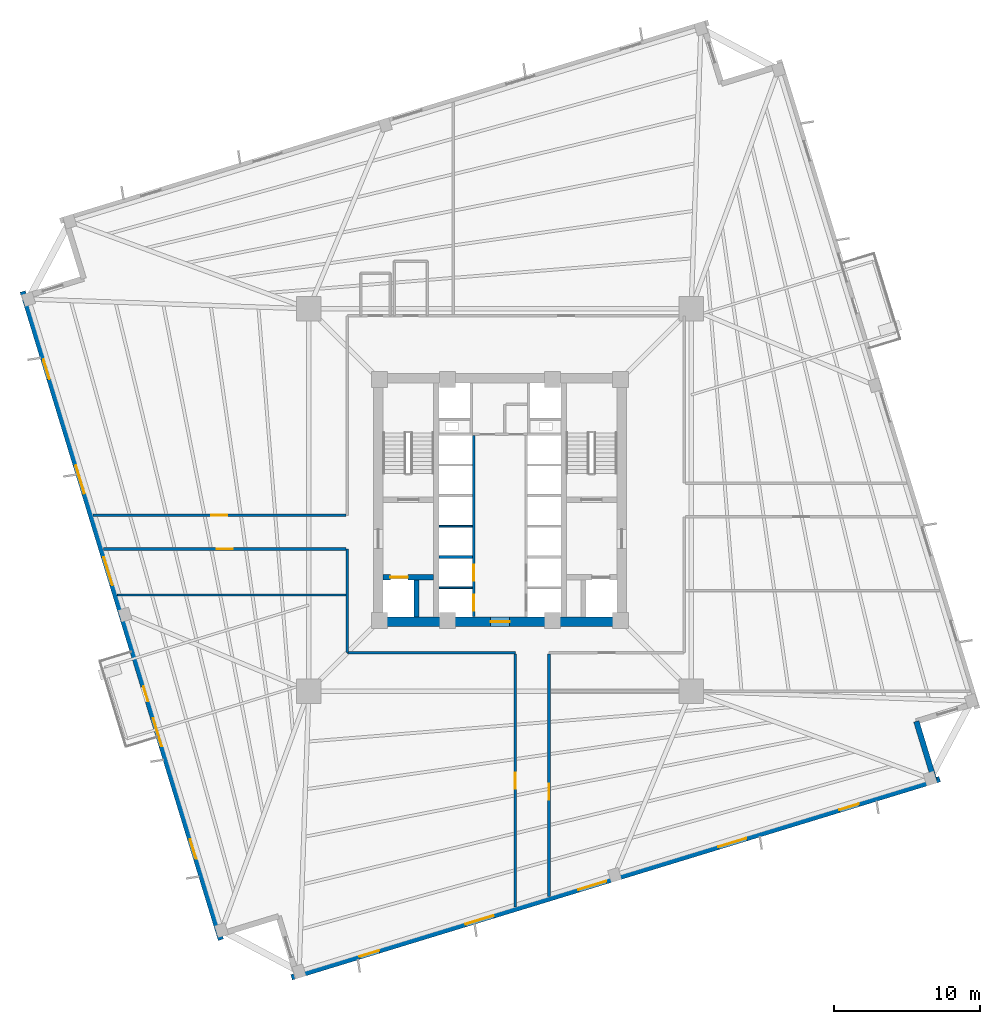
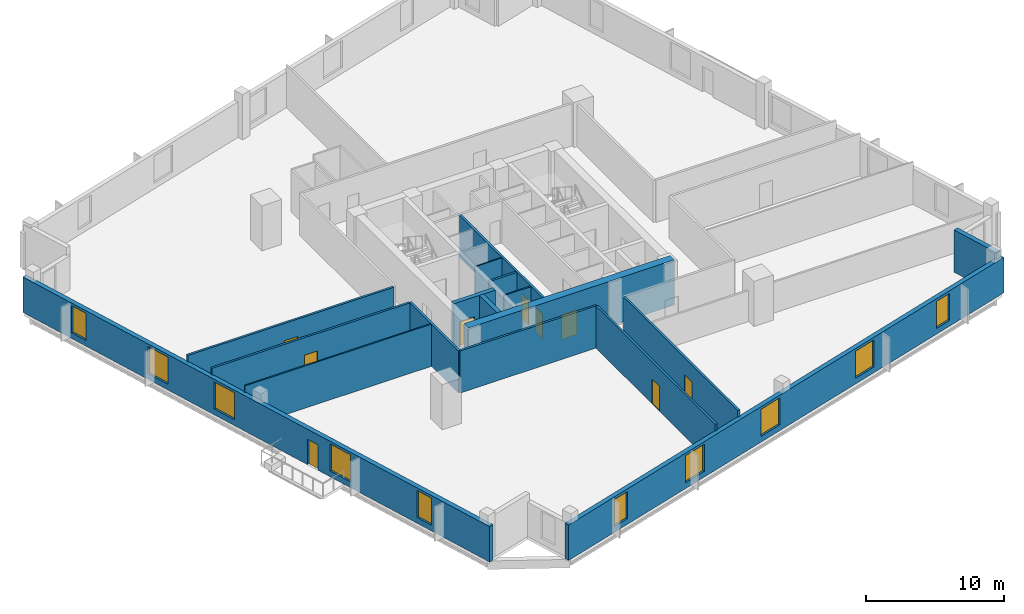
# One storey, part 3 of 9: 17 walls, 10 windows, 9 doors, 19 openings.
"""IFC4 building model written with IfcOpenShell, lengths in metres."""

from ifc_helpers import new_model, si_unit, direction, frame, frame_2d, origin, place, context, subcontext, project, spatial, rectangle, extrude, source, transform, mapped, material, layer, layer_set, type_object, element, fill, save


model = new_model("IFC4")

# Units and contexts
model_context = context("Model", 3, precision=1e-05, world=origin(), true_north=direction((0.0, 1.0)))
body_context = subcontext(model_context, "Body", "Model", "MODEL_VIEW")
ifc_project = project(units=[si_unit("LENGTHUNIT", "METRE"), si_unit("AREAUNIT", "SQUARE_METRE"), si_unit("VOLUMEUNIT", "CUBIC_METRE"), si_unit("PLANEANGLEUNIT", "RADIAN"), si_unit("MASSUNIT", "GRAM", prefix="KILO"), si_unit("THERMODYNAMICTEMPERATUREUNIT", "KELVIN")], contexts=[model_context])

# Site, building, storey
site_placement = place(None, origin())
site = spatial("IfcSite", under=ifc_project, at=site_placement, CompositionType="ELEMENT")
building_placement = place(site_placement, origin())
building = spatial("IfcBuilding", under=site, at=building_placement, Name="Kosmvard Interchange Tower", CompositionType="ELEMENT")
storey_placement = place(building_placement, frame((0.0, 0.0, 95.199951171875)))
storey = spatial("IfcBuildingStorey", under=building, at=storey_placement, Name="L22", CompositionType="ELEMENT", Elevation=95.199951171875)

# Wall, openings, doors
ifc_material_1 = material(Name="Fire-rated gypsum partition system")
ifc_layer_1 = layer(ifc_material_1, 0.179931640625, Name="Fire-rated gypsum partition system")
ifc_layer_set_1 = layer_set([ifc_layer_1], Name="Fire-rated gypsum partition system")
wall_type_1 = type_object("IfcWallType", Name="Corridor & Hotel Compartment Partition 180", PredefinedType="PARTITIONING", material=ifc_layer_set_1)
wall_1_placement = place(storey_placement, frame((-1.7900390625, -7.97998046875, 0.0), z_axis=(0.0, 0.0, 1.0), x_axis=(0.0, 1.0, 0.0)))
wall_1 = element("IfcWall", 1, at=wall_1_placement, inside=storey, type_object=wall_type_1, Name="L22 West Lift Bank Front Wall", PredefinedType="PARTITIONING", context=body_context, shape_type="SweptSolid", body=[
    extrude(rectangle(XDim=12.3798828125, YDim=0.179931640625, at=frame_2d((6.18994140625, 0.0))), origin(), (0.0, 0.0, 1.0), 3.739990234375),
])
opening_1_placement = place(wall_1_placement, frame((0.39990234375, 0.0, 0.0)))
opening_1 = element("IfcOpeningElement", 2, at=opening_1_placement, cuts=wall_1, Name="Opening LD-PL-L1-L22", PredefinedType="OPENING", context=body_context, shape_type="SweptSolid", body=[
    extrude(rectangle(XDim=1.10009765625, YDim=2.199951171875, at=frame_2d((0.550048828125, 1.10009765625))), frame((0.0, 0.10009765625, 0.0), z_axis=(0.0, -1.0, 0.0), x_axis=(1.0, 0.0, 0.0)), (0.0, 0.0, 1.0), 0.199951171875),
])
opening_2_placement = place(wall_1_placement, frame((2.4599609375, 0.0, 0.0)))
opening_2 = element("IfcOpeningElement", 3, at=opening_2_placement, cuts=wall_1, Name="Opening LD-PL-L2-L22", PredefinedType="OPENING", context=body_context, shape_type="SweptSolid", body=[
    extrude(rectangle(XDim=1.10009765625, YDim=2.199951171875, at=frame_2d((0.550048828125, 1.10009765625))), frame((0.0, 0.10009765625, 0.0), z_axis=(0.0, -1.0, 0.0), x_axis=(1.0, 0.0, 0.0)), (0.0, 0.0, 1.0), 0.199951171875),
])
ifc_material_2 = material(Name="Brushed stainless steel sliding leaf", Category="steel")
door_type_1 = type_object("IfcDoorType", Name="Passenger Lift Sliding Landing Door 1100x2200 EI60", OperationType="DOUBLE_DOOR_SLIDING", PredefinedType="DOOR", material=ifc_material_2)
shared_shape_1 = source(origin(), body_context, "Body", "SweptSolid", [
    extrude(rectangle(XDim=1.10009765625, YDim=2.199951171875, at=frame_2d((0.550048828125, 1.10009765625))), frame((0.0, 0.02490234375, 0.0), z_axis=(0.0, -1.0, 0.0), x_axis=(1.0, 0.0, 0.0)), (0.0, 0.0, 1.0), 0.050048828125),
])
door_1_placement = place(opening_1_placement, frame((1.10009765625, 0.0, 0.0), z_axis=(0.0, 0.0, 1.0), x_axis=(-1.0, 0.0, 0.0)))
door_1 = element("IfcDoor", 4, at=door_1_placement, inside=storey, type_object=door_type_1, Name="Lift PL-L1 Landing Door L22", OperationType="DOUBLE_DOOR_SLIDING", OverallHeight=2.199951171875, OverallWidth=1.10009765625, PredefinedType="DOOR", context=body_context, shape_type="MappedRepresentation", body=[
    mapped(shared_shape_1, transform((0.0, 0.0, 0.0), scale=1.0)),
])
fill(opening_1, door_1)
door_2_placement = place(opening_2_placement, frame((1.10009765625, 0.0, 0.0), z_axis=(0.0, 0.0, 1.0), x_axis=(-1.0, 0.0, 0.0)))
door_2 = element("IfcDoor", 5, at=door_2_placement, inside=storey, type_object=door_type_1, Name="Lift PL-L2 Landing Door L22", OperationType="DOUBLE_DOOR_SLIDING", OverallHeight=2.199951171875, OverallWidth=1.10009765625, PredefinedType="DOOR", context=body_context, shape_type="MappedRepresentation", body=[
    mapped(shared_shape_1, transform((0.0, 0.0, 0.0), scale=1.0)),
])
fill(opening_2, door_2)

# Walls
wall_2_placement = place(storey_placement, frame((-10.449951171875, -10.449951171875, 0.0), z_axis=(0.0, 0.0, 1.0), x_axis=(1.0, 0.0, 0.0)))
element("IfcWall", 6, at=wall_2_placement, inside=storey, type_object=wall_type_1, Name="L22 Corridor Wall CSW", PredefinedType="PARTITIONING", context=body_context, shape_type="SweptSolid", body=[
    extrude(rectangle(XDim=11.5, YDim=0.179931640625, at=frame_2d((5.75, 0.0))), origin(), (0.0, 0.0, 1.0), 3.739990234375),
])
wall_3_placement = place(storey_placement, frame((-10.449951171875, -10.449951171875, 0.0), z_axis=(0.0, 0.0, 1.0), x_axis=(0.0, 1.0, 0.0)))
element("IfcWall", 7, at=wall_3_placement, inside=storey, type_object=wall_type_1, Name="L22 Corridor Wall CWS", PredefinedType="PARTITIONING", context=body_context, shape_type="SweptSolid", body=[
    extrude(rectangle(XDim=7.099853515625, YDim=0.179931640625, at=frame_2d((3.5498046875, 0.0))), origin(), (0.0, 0.0, 1.0), 3.739990234375),
])

# Wall, opening, door
wall_4_placement = place(storey_placement, frame((-27.1416015625, -3.35009765625, 0.0), z_axis=(0.0, 0.0, 1.0), x_axis=(1.0, 0.0, 0.0)))
wall_4 = element("IfcWall", 8, at=wall_4_placement, inside=storey, type_object=wall_type_1, Name="L22 Corridor Wall SWS", PredefinedType="PARTITIONING", context=body_context, shape_type="SweptSolid", body=[
    extrude(rectangle(XDim=16.591552734375, YDim=0.179931640625, at=frame_2d((8.2958984375, 0.0))), origin(), (0.0, 0.0, 1.0), 3.739990234375),
])
opening_3_placement = place(wall_4_placement, frame((7.745849609375, 0.0, 0.0)))
opening_3 = element("IfcOpeningElement", 9, at=opening_3_placement, cuts=wall_4, Name="Opening L22-D08", PredefinedType="OPENING", context=body_context, shape_type="SweptSolid", body=[
    extrude(rectangle(XDim=1.10009765625, YDim=2.199951171875, at=frame_2d((0.550048828125, 1.10009765625))), frame((0.0, 0.10009765625, 0.0), z_axis=(0.0, -1.0, 0.0), x_axis=(1.0, 0.0, 0.0)), (0.0, 0.0, 1.0), 0.199951171875),
])
ifc_material_3 = material(Name="Engineered oak fire-rated timber", Category="wood")
door_type_2 = type_object("IfcDoorType", Name="Office Suite Entrance Door 1100x2200 FD30S", OperationType="NOTDEFINED", PredefinedType="DOOR", material=ifc_material_3)
door_3_placement = place(opening_3_placement, frame((1.10009765625, 0.0, 0.0), z_axis=(0.0, 0.0, 1.0), x_axis=(-1.0, 0.0, 0.0)))
door_3 = element("IfcDoor", 10, at=door_3_placement, inside=storey, type_object=door_type_2, Name="L22 West Boardroom 4 Door", OperationType="SINGLE_SWING_RIGHT", OverallHeight=2.199951171875, OverallWidth=1.10009765625, PredefinedType="DOOR", context=body_context, shape_type="MappedRepresentation", body=[
    mapped(shared_shape_1, transform((0.0, 0.0, 0.0), scale=1.0)),
])
fill(opening_3, door_3)

wall_5_placement = place(storey_placement, frame((-27.8447265625, -1.050048828125, 0.0), z_axis=(0.0, 0.0, 1.0), x_axis=(1.0, 0.0, 0.0)))
wall_5 = element("IfcWall", 11, at=wall_5_placement, inside=storey, type_object=wall_type_1, Name="L22 Corridor Wall SWN", PredefinedType="PARTITIONING", context=body_context, shape_type="SweptSolid", body=[
    extrude(rectangle(XDim=17.294677734375, YDim=0.179931640625, at=frame_2d((8.6474609375, 0.0))), origin(), (0.0, 0.0, 1.0), 3.739990234375),
])
opening_4_placement = place(wall_5_placement, frame((8.097412109375, 0.0, 0.0)))
opening_4 = element("IfcOpeningElement", 12, at=opening_4_placement, cuts=wall_5, Name="Opening L22-D03", PredefinedType="OPENING", context=body_context, shape_type="SweptSolid", body=[
    extrude(rectangle(XDim=1.10009765625, YDim=2.199951171875, at=frame_2d((0.550048828125, 1.10009765625))), frame((0.0, 0.10009765625, 0.0), z_axis=(0.0, -1.0, 0.0), x_axis=(1.0, 0.0, 0.0)), (0.0, 0.0, 1.0), 0.199951171875),
])
door_4_placement = place(opening_4_placement, origin())
door_4 = element("IfcDoor", 13, at=door_4_placement, inside=storey, type_object=door_type_2, Name="L22 North-West Strategy Conference Room 1 Door", OperationType="SINGLE_SWING_LEFT", OverallHeight=2.199951171875, OverallWidth=1.10009765625, PredefinedType="DOOR", context=body_context, shape_type="MappedRepresentation", body=[
    mapped(shared_shape_1, transform((0.0, 0.0, 0.0), scale=1.0)),
])
fill(opening_4, door_4)

wall_6_placement = place(storey_placement, frame((1.050048828125, -27.8447265625, 0.0), z_axis=(0.0, 0.0, 1.0), x_axis=(0.0, 1.0, 0.0)))
wall_6 = element("IfcWall", 14, at=wall_6_placement, inside=storey, type_object=wall_type_1, Name="L22 Corridor Wall SSW", PredefinedType="PARTITIONING", context=body_context, shape_type="SweptSolid", body=[
    extrude(rectangle(XDim=17.294677734375, YDim=0.179931640625, at=frame_2d((8.6474609375, 0.0))), origin(), (0.0, 0.0, 1.0), 3.739990234375),
])
opening_5_placement = place(wall_6_placement, frame((8.097412109375, 0.0, 0.0)))
opening_5 = element("IfcOpeningElement", 15, at=opening_5_placement, cuts=wall_6, Name="Opening L22-D09", PredefinedType="OPENING", context=body_context, shape_type="SweptSolid", body=[
    extrude(rectangle(XDim=1.10009765625, YDim=2.199951171875, at=frame_2d((0.550048828125, 1.10009765625))), frame((0.0, 0.10009765625, 0.0), z_axis=(0.0, -1.0, 0.0), x_axis=(1.0, 0.0, 0.0)), (0.0, 0.0, 1.0), 0.199951171875),
])
door_5_placement = place(opening_5_placement, origin())
door_5 = element("IfcDoor", 16, at=door_5_placement, inside=storey, type_object=door_type_2, Name="L22 South-West Briefing Hall 5 Door", OperationType="SINGLE_SWING_LEFT", OverallHeight=2.199951171875, OverallWidth=1.10009765625, PredefinedType="DOOR", context=body_context, shape_type="MappedRepresentation", body=[
    mapped(shared_shape_1, transform((0.0, 0.0, 0.0), scale=1.0)),
])
fill(opening_5, door_5)

wall_7_placement = place(storey_placement, frame((3.35009765625, -27.1416015625, 0.0), z_axis=(0.0, 0.0, 1.0), x_axis=(0.0, 1.0, 0.0)))
wall_7 = element("IfcWall", 17, at=wall_7_placement, inside=storey, type_object=wall_type_1, Name="L22 Corridor Wall SSE", PredefinedType="PARTITIONING", context=body_context, shape_type="SweptSolid", body=[
    extrude(rectangle(XDim=16.591552734375, YDim=0.179931640625, at=frame_2d((8.2958984375, 0.0))), origin(), (0.0, 0.0, 1.0), 3.739990234375),
])
opening_6_placement = place(wall_7_placement, frame((6.644775390625, 0.0, 0.0)))
opening_6 = element("IfcOpeningElement", 18, at=opening_6_placement, cuts=wall_7, Name="Opening L22-D07", PredefinedType="OPENING", context=body_context, shape_type="SweptSolid", body=[
    extrude(rectangle(XDim=1.10009765625, YDim=2.199951171875, at=frame_2d((0.550048828125, 1.10009765625))), frame((0.0, 0.10009765625, 0.0), z_axis=(0.0, -1.0, 0.0), x_axis=(1.0, 0.0, 0.0)), (0.0, 0.0, 1.0), 0.199951171875),
])
door_6_placement = place(opening_6_placement, frame((1.10009765625, 0.0, 0.0), z_axis=(0.0, 0.0, 1.0), x_axis=(-1.0, 0.0, 0.0)))
door_6 = element("IfcDoor", 19, at=door_6_placement, inside=storey, type_object=door_type_2, Name="L22 South-East Seminar Room 3 Door", OperationType="SINGLE_SWING_LEFT", OverallHeight=2.199951171875, OverallWidth=1.10009765625, PredefinedType="DOOR", context=body_context, shape_type="MappedRepresentation", body=[
    mapped(shared_shape_1, transform((0.0, 0.0, 0.0), scale=1.0)),
])
fill(opening_6, door_6)

# Wall, openings, windows
ifc_material_4 = material(Name="Precast concrete C45/55", Category="concrete")
ifc_layer_2 = layer(ifc_material_4, 0.3798828125, Name="Precast concrete C45/55")
ifc_layer_set_2 = layer_set([ifc_layer_2], Name="Precast concrete C45/55")
wall_type_2 = type_object("IfcWallType", Name="Lower Tower Precast Pier Wall 380 C45/55", PredefinedType="STANDARD", material=ifc_layer_set_2)
wall_8_placement = place(storey_placement, frame((-14.26513671875, -32.65771484375, 0.0), z_axis=(0.0, 0.0, 1.0), x_axis=(0.956304320851, 0.292373127906, 0.0)))
wall_8 = element("IfcWall", 20, at=wall_8_placement, inside=storey, type_object=wall_type_2, Name="L22 Precast Facade Wall F-S", PredefinedType="STANDARD", context=body_context, shape_type="SweptSolid", body=[
    extrude(rectangle(XDim=46.380126953125, YDim=0.3798828125, at=frame_2d((23.18994140625, 0.0))), origin(), (0.0, 0.0, 1.0), 3.14013671875),
])
opening_7_placement = place(wall_8_placement, frame((4.865478515625, 0.0, 0.510009765625)))
opening_7 = element("IfcOpeningElement", 21, at=opening_7_placement, cuts=wall_8, Name="Opening L22-W01", PredefinedType="OPENING", context=body_context, shape_type="SweptSolid", body=[
    extrude(rectangle(XDim=1.39990234375, YDim=2.39990234375, at=frame_2d((0.699951171875, 1.199951171875))), frame((0.0, 0.199951171875, 0.0), z_axis=(0.0, -1.0, 0.0), x_axis=(1.0, 0.0, 0.0)), (0.0, 0.0, 1.0), 0.39990234375),
])
opening_8_placement = place(wall_8_placement, frame((12.4501953125, 0.0, 0.510009765625)))
opening_8 = element("IfcOpeningElement", 22, at=opening_8_placement, cuts=wall_8, Name="Opening L22-W02", PredefinedType="OPENING", context=body_context, shape_type="SweptSolid", body=[
    extrude(rectangle(XDim=2.0, YDim=2.39990234375, at=frame_2d((1.0, 1.199951171875))), frame((0.0, 0.199951171875, 0.0), z_axis=(0.0, -1.0, 0.0), x_axis=(1.0, 0.0, 0.0)), (0.0, 0.0, 1.0), 0.39990234375),
])
opening_9_placement = place(wall_8_placement, frame((20.512451171875, 0.0, 0.510009765625)))
opening_9 = element("IfcOpeningElement", 23, at=opening_9_placement, cuts=wall_8, Name="Opening L22-W03", PredefinedType="OPENING", context=body_context, shape_type="SweptSolid", body=[
    extrude(rectangle(XDim=2.0, YDim=2.39990234375, at=frame_2d((1.0, 1.199951171875))), frame((0.0, 0.199951171875, 0.0), z_axis=(0.0, -1.0, 0.0), x_axis=(1.0, 0.0, 0.0)), (0.0, 0.0, 1.0), 0.39990234375),
])
opening_10_placement = place(wall_8_placement, frame((30.538330078125, 0.0, 0.510009765625)))
opening_10 = element("IfcOpeningElement", 24, at=opening_10_placement, cuts=wall_8, Name="Opening L22-W04", PredefinedType="OPENING", context=body_context, shape_type="SweptSolid", body=[
    extrude(rectangle(XDim=2.0, YDim=2.39990234375, at=frame_2d((1.0, 1.199951171875))), frame((0.0, 0.199951171875, 0.0), z_axis=(0.0, -1.0, 0.0), x_axis=(1.0, 0.0, 0.0)), (0.0, 0.0, 1.0), 0.39990234375),
])
opening_11_placement = place(wall_8_placement, frame((39.186767578125, 0.0, 0.510009765625)))
opening_11 = element("IfcOpeningElement", 25, at=opening_11_placement, cuts=wall_8, Name="Opening L22-W05", PredefinedType="OPENING", context=body_context, shape_type="SweptSolid", body=[
    extrude(rectangle(XDim=1.39990234375, YDim=2.39990234375, at=frame_2d((0.699951171875, 1.199951171875))), frame((0.0, 0.199951171875, 0.0), z_axis=(0.0, -1.0, 0.0), x_axis=(1.0, 0.0, 0.0)), (0.0, 0.0, 1.0), 0.39990234375),
])
ifc_material_5 = material(Name="Low-E solar-control double glazing", Category="glass")
window_type_1 = type_object("IfcWindowType", Name="Notched Corner Feature Window 1400x2400", PartitioningType="SINGLE_PANEL", PredefinedType="WINDOW", material=ifc_material_5)
shared_shape_2 = source(origin(), body_context, "Body", "SweptSolid", [
    extrude(rectangle(XDim=1.39990234375, YDim=2.39990234375, at=frame_2d((0.699951171875, 1.199951171875))), frame((0.0, 0.030029296875, 0.0), z_axis=(0.0, -1.0, 0.0), x_axis=(1.0, 0.0, 0.0)), (0.0, 0.0, 1.0), 0.06005859375),
])
window_1_placement = place(opening_7_placement, origin())
window_1 = element("IfcWindow", 26, at=window_1_placement, inside=storey, type_object=window_type_1, Name="L22 Facade Punched Window 01", OverallHeight=2.39990234375, OverallWidth=1.39990234375, PartitioningType="SINGLE_PANEL", PredefinedType="WINDOW", context=body_context, shape_type="MappedRepresentation", body=[
    mapped(shared_shape_2, transform((0.0, 0.0, 0.0), scale=1.0)),
])
fill(opening_7, window_1)
window_2_placement = place(opening_11_placement, origin())
window_2 = element("IfcWindow", 27, at=window_2_placement, inside=storey, type_object=window_type_1, Name="L22 Facade Punched Window 05", OverallHeight=2.39990234375, OverallWidth=1.39990234375, PartitioningType="SINGLE_PANEL", PredefinedType="WINDOW", context=body_context, shape_type="MappedRepresentation", body=[
    mapped(shared_shape_2, transform((0.0, 0.0, 0.0), scale=1.0)),
])
fill(opening_11, window_2)
window_type_2 = type_object("IfcWindowType", Name="Zone 2 Office Punched Window 2000x2400", PartitioningType="SINGLE_PANEL", PredefinedType="WINDOW", material=ifc_material_5)
shared_shape_3 = source(origin(), body_context, "Body", "SweptSolid", [
    extrude(rectangle(XDim=2.0, YDim=2.39990234375, at=frame_2d((1.0, 1.199951171875))), frame((0.0, 0.030029296875, 0.0), z_axis=(0.0, -1.0, 0.0), x_axis=(1.0, 0.0, 0.0)), (0.0, 0.0, 1.0), 0.06005859375),
])
window_3_placement = place(opening_8_placement, origin())
window_3 = element("IfcWindow", 28, at=window_3_placement, inside=storey, type_object=window_type_2, Name="L22 Facade Punched Window 02", OverallHeight=2.39990234375, OverallWidth=2.0, PartitioningType="SINGLE_PANEL", PredefinedType="WINDOW", context=body_context, shape_type="MappedRepresentation", body=[
    mapped(shared_shape_3, transform((0.0, 0.0, 0.0), scale=1.0)),
])
fill(opening_8, window_3)
window_4_placement = place(opening_9_placement, origin())
window_4 = element("IfcWindow", 29, at=window_4_placement, inside=storey, type_object=window_type_2, Name="L22 Facade Punched Window 03", OverallHeight=2.39990234375, OverallWidth=2.0, PartitioningType="SINGLE_PANEL", PredefinedType="WINDOW", context=body_context, shape_type="MappedRepresentation", body=[
    mapped(shared_shape_3, transform((0.0, 0.0, 0.0), scale=1.0)),
])
fill(opening_9, window_4)
window_5_placement = place(opening_10_placement, origin())
window_5 = element("IfcWindow", 30, at=window_5_placement, inside=storey, type_object=window_type_2, Name="L22 Facade Punched Window 04", OverallHeight=2.39990234375, OverallWidth=2.0, PartitioningType="SINGLE_PANEL", PredefinedType="WINDOW", context=body_context, shape_type="MappedRepresentation", body=[
    mapped(shared_shape_3, transform((0.0, 0.0, 0.0), scale=1.0)),
])
fill(opening_10, window_5)

# Wall
wall_9_placement = place(storey_placement, frame((29.724853515625, -19.20849609375, 0.0), z_axis=(0.0, 0.0, 1.0), x_axis=(-0.292345507338, 0.956312764915, 0.0)))
element("IfcWall", 31, at=wall_9_placement, inside=storey, type_object=wall_type_2, Name="L22 Precast Facade Wall N-SE1", PredefinedType="STANDARD", context=body_context, shape_type="SweptSolid", body=[
    extrude(rectangle(XDim=4.249755859375, YDim=0.3798828125, at=frame_2d((2.125, 0.0))), origin(), (0.0, 0.0, 1.0), 3.739990234375),
])

# Wall, openings, door, windows
wall_10_placement = place(storey_placement, frame((-32.65771484375, 14.26513671875, 0.0), z_axis=(0.0, 0.0, 1.0), x_axis=(0.292373127906, -0.956304320851, 0.0)))
wall_10 = element("IfcWall", 32, at=wall_10_placement, inside=storey, type_object=wall_type_2, Name="L22 Precast Facade Wall F-W", PredefinedType="STANDARD", context=body_context, shape_type="SweptSolid", body=[
    extrude(rectangle(XDim=46.380126953125, YDim=0.3798828125, at=frame_2d((23.18994140625, 0.0))), origin(), (0.0, 0.0, 1.0), 3.14013671875),
])
opening_12_placement = place(wall_10_placement, frame((28.264892578125, 0.0, 0.0)))
opening_12 = element("IfcOpeningElement", 33, at=opening_12_placement, cuts=wall_10, Name="Opening L22-BDW", PredefinedType="OPENING", context=body_context, shape_type="SweptSolid", body=[
    extrude(rectangle(XDim=1.050048828125, YDim=2.25, at=frame_2d((0.52490234375, 1.125))), frame((0.0, 0.199951171875, 0.0), z_axis=(0.0, -1.0, 0.0), x_axis=(1.0, 0.0, 0.0)), (0.0, 0.0, 1.0), 0.39990234375),
])
opening_13_placement = place(wall_10_placement, frame((4.865478515625, 0.0, 0.510009765625)))
opening_13 = element("IfcOpeningElement", 34, at=opening_13_placement, cuts=wall_10, Name="Opening L22-W16", PredefinedType="OPENING", context=body_context, shape_type="SweptSolid", body=[
    extrude(rectangle(XDim=1.39990234375, YDim=2.39990234375, at=frame_2d((0.699951171875, 1.199951171875))), frame((0.0, 0.199951171875, 0.0), z_axis=(0.0, -1.0, 0.0), x_axis=(1.0, 0.0, 0.0)), (0.0, 0.0, 1.0), 0.39990234375),
])
opening_14_placement = place(wall_10_placement, frame((12.4501953125, 0.0, 0.510009765625)))
opening_14 = element("IfcOpeningElement", 35, at=opening_14_placement, cuts=wall_10, Name="Opening L22-W17", PredefinedType="OPENING", context=body_context, shape_type="SweptSolid", body=[
    extrude(rectangle(XDim=2.0, YDim=2.39990234375, at=frame_2d((1.0, 1.199951171875))), frame((0.0, 0.199951171875, 0.0), z_axis=(0.0, -1.0, 0.0), x_axis=(1.0, 0.0, 0.0)), (0.0, 0.0, 1.0), 0.39990234375),
])
opening_15_placement = place(wall_10_placement, frame((19.012451171875, 0.0, 0.510009765625)))
opening_15 = element("IfcOpeningElement", 36, at=opening_15_placement, cuts=wall_10, Name="Opening L22-W18", PredefinedType="OPENING", context=body_context, shape_type="SweptSolid", body=[
    extrude(rectangle(XDim=2.0, YDim=2.39990234375, at=frame_2d((1.0, 1.199951171875))), frame((0.0, 0.199951171875, 0.0), z_axis=(0.0, -1.0, 0.0), x_axis=(1.0, 0.0, 0.0)), (0.0, 0.0, 1.0), 0.39990234375),
])
opening_16_placement = place(wall_10_placement, frame((30.538330078125, 0.0, 0.510009765625)))
opening_16 = element("IfcOpeningElement", 37, at=opening_16_placement, cuts=wall_10, Name="Opening L22-W19", PredefinedType="OPENING", context=body_context, shape_type="SweptSolid", body=[
    extrude(rectangle(XDim=2.0, YDim=2.39990234375, at=frame_2d((1.0, 1.199951171875))), frame((0.0, 0.199951171875, 0.0), z_axis=(0.0, -1.0, 0.0), x_axis=(1.0, 0.0, 0.0)), (0.0, 0.0, 1.0), 0.39990234375),
])
opening_17_placement = place(wall_10_placement, frame((39.186767578125, 0.0, 0.510009765625)))
opening_17 = element("IfcOpeningElement", 38, at=opening_17_placement, cuts=wall_10, Name="Opening L22-W20", PredefinedType="OPENING", context=body_context, shape_type="SweptSolid", body=[
    extrude(rectangle(XDim=1.39990234375, YDim=2.39990234375, at=frame_2d((0.699951171875, 1.199951171875))), frame((0.0, 0.199951171875, 0.0), z_axis=(0.0, -1.0, 0.0), x_axis=(1.0, 0.0, 0.0)), (0.0, 0.0, 1.0), 0.39990234375),
])
ifc_material_6 = material(Name="Anodised aluminium and safety glass", Category="aluminium")
door_type_3 = type_object("IfcDoorType", Name="Tree-Balcony Glazed Door 1050x2250", OperationType="NOTDEFINED", PredefinedType="DOOR", material=ifc_material_6)
shared_shape_4 = source(origin(), body_context, "Body", "SweptSolid", [
    extrude(rectangle(XDim=1.050048828125, YDim=2.25, at=frame_2d((0.52490234375, 1.125))), frame((0.0, 0.02490234375, 0.0), z_axis=(0.0, -1.0, 0.0), x_axis=(1.0, 0.0, 0.0)), (0.0, 0.0, 1.0), 0.050048828125),
])
door_7_placement = place(opening_12_placement, origin())
door_7 = element("IfcDoor", 39, at=door_7_placement, inside=storey, type_object=door_type_3, Name="L22 Tree-Balcony Door BAL-L22-W", OperationType="SINGLE_SWING_LEFT", OverallHeight=2.25, OverallWidth=1.050048828125, PredefinedType="DOOR", context=body_context, shape_type="MappedRepresentation", body=[
    mapped(shared_shape_4, transform((0.0, 0.0, 0.0), scale=1.0)),
])
fill(opening_12, door_7)
window_6_placement = place(opening_13_placement, origin())
window_6 = element("IfcWindow", 40, at=window_6_placement, inside=storey, type_object=window_type_1, Name="L22 Facade Punched Window 16", OverallHeight=2.39990234375, OverallWidth=1.39990234375, PartitioningType="SINGLE_PANEL", PredefinedType="WINDOW", context=body_context, shape_type="MappedRepresentation", body=[
    mapped(shared_shape_2, transform((0.0, 0.0, 0.0), scale=1.0)),
])
fill(opening_13, window_6)
window_7_placement = place(opening_17_placement, origin())
window_7 = element("IfcWindow", 41, at=window_7_placement, inside=storey, type_object=window_type_1, Name="L22 Facade Punched Window 20", OverallHeight=2.39990234375, OverallWidth=1.39990234375, PartitioningType="SINGLE_PANEL", PredefinedType="WINDOW", context=body_context, shape_type="MappedRepresentation", body=[
    mapped(shared_shape_2, transform((0.0, 0.0, 0.0), scale=1.0)),
])
fill(opening_17, window_7)
window_8_placement = place(opening_14_placement, origin())
window_8 = element("IfcWindow", 42, at=window_8_placement, inside=storey, type_object=window_type_2, Name="L22 Facade Punched Window 17", OverallHeight=2.39990234375, OverallWidth=2.0, PartitioningType="SINGLE_PANEL", PredefinedType="WINDOW", context=body_context, shape_type="MappedRepresentation", body=[
    mapped(shared_shape_3, transform((0.0, 0.0, 0.0), scale=1.0)),
])
fill(opening_14, window_8)
window_9_placement = place(opening_15_placement, origin())
window_9 = element("IfcWindow", 43, at=window_9_placement, inside=storey, type_object=window_type_2, Name="L22 Facade Punched Window 18", OverallHeight=2.39990234375, OverallWidth=2.0, PartitioningType="SINGLE_PANEL", PredefinedType="WINDOW", context=body_context, shape_type="MappedRepresentation", body=[
    mapped(shared_shape_3, transform((0.0, 0.0, 0.0), scale=1.0)),
])
fill(opening_15, window_9)
window_10_placement = place(opening_16_placement, origin())
window_10 = element("IfcWindow", 44, at=window_10_placement, inside=storey, type_object=window_type_2, Name="L22 Facade Punched Window 19", OverallHeight=2.39990234375, OverallWidth=2.0, PartitioningType="SINGLE_PANEL", PredefinedType="WINDOW", context=body_context, shape_type="MappedRepresentation", body=[
    mapped(shared_shape_3, transform((0.0, 0.0, 0.0), scale=1.0)),
])
fill(opening_16, window_10)

# Wall, opening, door
ifc_material_7 = material(Name="Concrete C70/85", Category="concrete")
ifc_layer_3 = layer(ifc_material_7, 0.64990234375, Name="Concrete C70/85")
ifc_layer_set_3 = layer_set([ifc_layer_3], Name="Concrete C70/85")
wall_type_3 = type_object("IfcWallType", Name="Mid Core Shear Wall 650 C70/85", PredefinedType="SHEAR", material=ifc_layer_set_3)
wall_11_placement = place(storey_placement, frame((-8.64990234375, -8.324951171875, 0.0), z_axis=(0.0, 0.0, 1.0), x_axis=(1.0, 0.0, 0.0)))
wall_11 = element("IfcWall", 45, at=wall_11_placement, inside=storey, type_object=wall_type_3, Name="L22 Core Shear Wall CW-S", PredefinedType="SHEAR", context=body_context, shape_type="SweptSolid", body=[
    extrude(rectangle(XDim=17.2998046875, YDim=0.64990234375, at=frame_2d((8.64990234375, 0.0))), origin(), (0.0, 0.0, 1.0), 4.0),
])
opening_18_placement = place(wall_11_placement, frame((8.0, 0.0, 0.0)))
opening_18 = element("IfcOpeningElement", 46, at=opening_18_placement, cuts=wall_11, Name="Opening L22-LD0", PredefinedType="OPENING", context=body_context, shape_type="SweptSolid", body=[
    extrude(rectangle(XDim=1.300048828125, YDim=2.199951171875, at=frame_2d((0.64990234375, 1.10009765625))), frame((0.0, 0.3349609375, 0.0), z_axis=(0.0, -1.0, 0.0), x_axis=(1.0, 0.0, 0.0)), (0.0, 0.0, 1.0), 0.669921875),
])
ifc_material_8 = material(Name="Painted fire-rated steel leaf", Category="steel")
door_type_4 = type_object("IfcDoorType", Name="Firefighting Lobby Door 1300x2200 EI60", OperationType="NOTDEFINED", PredefinedType="DOOR", material=ifc_material_8)
shared_shape_5 = source(origin(), body_context, "Body", "SweptSolid", [
    extrude(rectangle(XDim=1.300048828125, YDim=2.199951171875, at=frame_2d((0.64990234375, 1.10009765625))), frame((0.0, 0.02490234375, 0.0), z_axis=(0.0, -1.0, 0.0), x_axis=(1.0, 0.0, 0.0)), (0.0, 0.0, 1.0), 0.050048828125),
])
door_8_placement = place(opening_18_placement, frame((1.300048828125, 0.0, 0.0), z_axis=(0.0, 0.0, 1.0), x_axis=(-1.0, 0.0, 0.0)))
door_8 = element("IfcDoor", 47, at=door_8_placement, inside=storey, type_object=door_type_4, Name="L22 Passenger Lift Lobby South Door", OperationType="SINGLE_SWING_RIGHT", OverallHeight=2.199951171875, OverallWidth=1.300048828125, PredefinedType="DOOR", context=body_context, shape_type="MappedRepresentation", body=[
    mapped(shared_shape_5, transform((0.0, 0.0, 0.0), scale=1.0)),
])
fill(opening_18, door_8)

# Walls
ifc_material_9 = material(Name="Gypsum board partition system")
ifc_layer_4 = layer(ifc_material_9, 0.1201171875, Name="Gypsum board partition system")
ifc_layer_set_4 = layer_set([ifc_layer_4], Name="Gypsum board partition system")
wall_type_4 = type_object("IfcWallType", Name="Office Cellular Partition 120", PredefinedType="PARTITIONING", material=ifc_layer_set_4)
wall_12_placement = place(storey_placement, frame((-26.178466796875, -6.5, 0.0), z_axis=(0.0, 0.0, 1.0), x_axis=(1.0, 0.0, 0.0)))
element("IfcWall", 48, at=wall_12_placement, inside=storey, type_object=wall_type_4, Name="L22 Room Partition 04.1", PredefinedType="PARTITIONING", context=body_context, shape_type="SweptSolid", body=[
    extrude(rectangle(XDim=15.633544921875, YDim=0.1201171875, at=frame_2d((7.81689453125, 0.0))), origin(), (0.0, 0.0, 1.0), 3.739990234375),
])
ifc_material_10 = material(Name="Concrete blockwork masonry", Category="masonry")
ifc_layer_5 = layer(ifc_material_10, 0.179931640625, Name="Concrete blockwork masonry")
ifc_layer_set_5 = layer_set([ifc_layer_5], Name="Concrete blockwork masonry")
wall_type_5 = type_object("IfcWallType", Name="Riser & Lift Bank Divider Wall 180", PredefinedType="PARTITIONING", material=ifc_layer_set_5)
wall_13_placement = place(storey_placement, frame((-4.169921875, -3.89990234375, 0.0), z_axis=(0.0, 0.0, 1.0), x_axis=(1.0, 0.0, 0.0)))
element("IfcWall", 49, at=wall_13_placement, inside=storey, type_object=wall_type_5, Name="L22 West Bank Divider BD1", PredefinedType="PARTITIONING", context=body_context, shape_type="SweptSolid", body=[
    extrude(rectangle(XDim=2.280029296875, YDim=0.179931640625, at=frame_2d((1.14013671875, 0.0))), origin(), (0.0, 0.0, 1.0), 3.739990234375),
])
ifc_material_11 = material(Name="Fire-rated gypsum shaftwall system")
ifc_layer_6 = layer(ifc_material_11, 0.1201171875, Name="Fire-rated gypsum shaftwall system")
ifc_layer_set_6 = layer_set([ifc_layer_6], Name="Fire-rated gypsum shaftwall system")
wall_type_6 = type_object("IfcWallType", Name="Shaft & Riser Fire Partition 120 EI60", PredefinedType="PARTITIONING", material=ifc_layer_set_6)
for number, where, z_axis, x_axis, name in (
    (50, (-4.159912109375, -6.0, 0.0), (0.0, 0.0, 1.0), (1.0, 0.0, 0.0), "L22 Shaft Divider PL-L1"),
    (51, (-4.159912109375, -1.800048828125, 0.0), (0.0, 0.0, 1.0), (1.0, 0.0, 0.0), "L22 Shaft Divider PL-M1"),
):
    element("IfcWall", number, at=place(storey_placement, frame(where, z_axis=z_axis, x_axis=x_axis)), inside=storey, type_object=wall_type_6, Name=name, PredefinedType="PARTITIONING", context=body_context, shape_type="SweptSolid", body=[
        extrude(rectangle(XDim=2.260009765625, YDim=0.1201171875, at=frame_2d((1.1298828125, 0.0))), origin(), (0.0, 0.0, 1.0), 3.739990234375),
    ])

# Wall, opening, door
ifc_material_12 = material(Name="Concrete C60/75", Category="concrete")
ifc_layer_7 = layer(ifc_material_12, 0.360107421875, Name="Concrete C60/75")
ifc_layer_set_7 = layer_set([ifc_layer_7], Name="Concrete C60/75")
wall_type_7 = type_object("IfcWallType", Name="Stair & Lift Shaft Shear Wall 360 C60/75", PredefinedType="SHEAR", material=ifc_layer_set_7)
wall_14_placement = place(storey_placement, frame((-8.0, -5.280029296875, 0.0), z_axis=(0.0, 0.0, 1.0), x_axis=(1.0, 0.0, 0.0)))
wall_14 = element("IfcWall", 52, at=wall_14_placement, inside=storey, type_object=wall_type_7, Name="L22 Shaft Shear Wall SW-FF1", PredefinedType="SHEAR", context=body_context, shape_type="SweptSolid", body=[
    extrude(rectangle(XDim=3.4599609375, YDim=0.360107421875, at=frame_2d((1.72998046875, 0.0))), origin(), (0.0, 0.0, 1.0), 4.0),
])
opening_19_placement = place(wall_14_placement, frame((0.5, 0.0, 0.0)))
opening_19 = element("IfcOpeningElement", 53, at=opening_19_placement, cuts=wall_14, Name="Opening LD-FF-1-L22", PredefinedType="OPENING", context=body_context, shape_type="SweptSolid", body=[
    extrude(rectangle(XDim=1.199951171875, YDim=2.25, at=frame_2d((0.60009765625, 1.125))), frame((0.0, 0.18994140625, 0.0), z_axis=(0.0, -1.0, 0.0), x_axis=(1.0, 0.0, 0.0)), (0.0, 0.0, 1.0), 0.380126953125),
])
door_type_5 = type_object("IfcDoorType", Name="Firefighting Lift Sliding Landing Door 1200x2250 EI120", OperationType="DOUBLE_DOOR_SLIDING", PredefinedType="DOOR", material=ifc_material_2)
shared_shape_6 = source(origin(), body_context, "Body", "SweptSolid", [
    extrude(rectangle(XDim=1.199951171875, YDim=2.25, at=frame_2d((0.60009765625, 1.125))), frame((0.0, 0.02490234375, 0.0), z_axis=(0.0, -1.0, 0.0), x_axis=(1.0, 0.0, 0.0)), (0.0, 0.0, 1.0), 0.050048828125),
])
door_9_placement = place(opening_19_placement, origin())
door_9 = element("IfcDoor", 54, at=door_9_placement, inside=storey, type_object=door_type_5, Name="Lift FF-1 Landing Door L22", OperationType="DOUBLE_DOOR_SLIDING", OverallHeight=2.25, OverallWidth=1.199951171875, PredefinedType="DOOR", context=body_context, shape_type="MappedRepresentation", body=[
    mapped(shared_shape_6, transform((0.0, 0.0, 0.0), scale=1.0)),
])
fill(opening_19, door_9)

# Wall
wall_15_placement = place(storey_placement, frame((-5.7099609375, -8.0, 0.0), z_axis=(0.0, 0.0, 1.0), x_axis=(0.0, 1.0, 0.0)))
element("IfcWall", 55, at=wall_15_placement, inside=storey, type_object=wall_type_7, Name="L22 Shaft Shear Wall SW-SM1", PredefinedType="SHEAR", context=body_context, shape_type="SweptSolid", body=[
    extrude(rectangle(XDim=2.5400390625, YDim=0.360107421875, at=frame_2d((1.27001953125, 0.0))), origin(), (0.0, 0.0, 1.0), 4.0),
])

save(model, "model.ifc")
